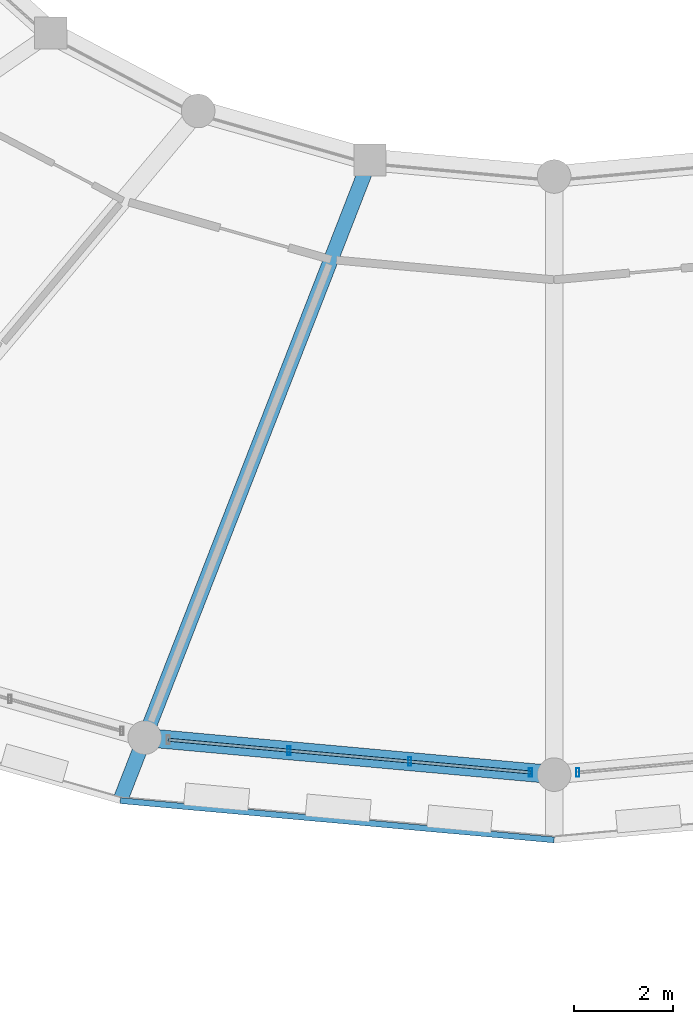
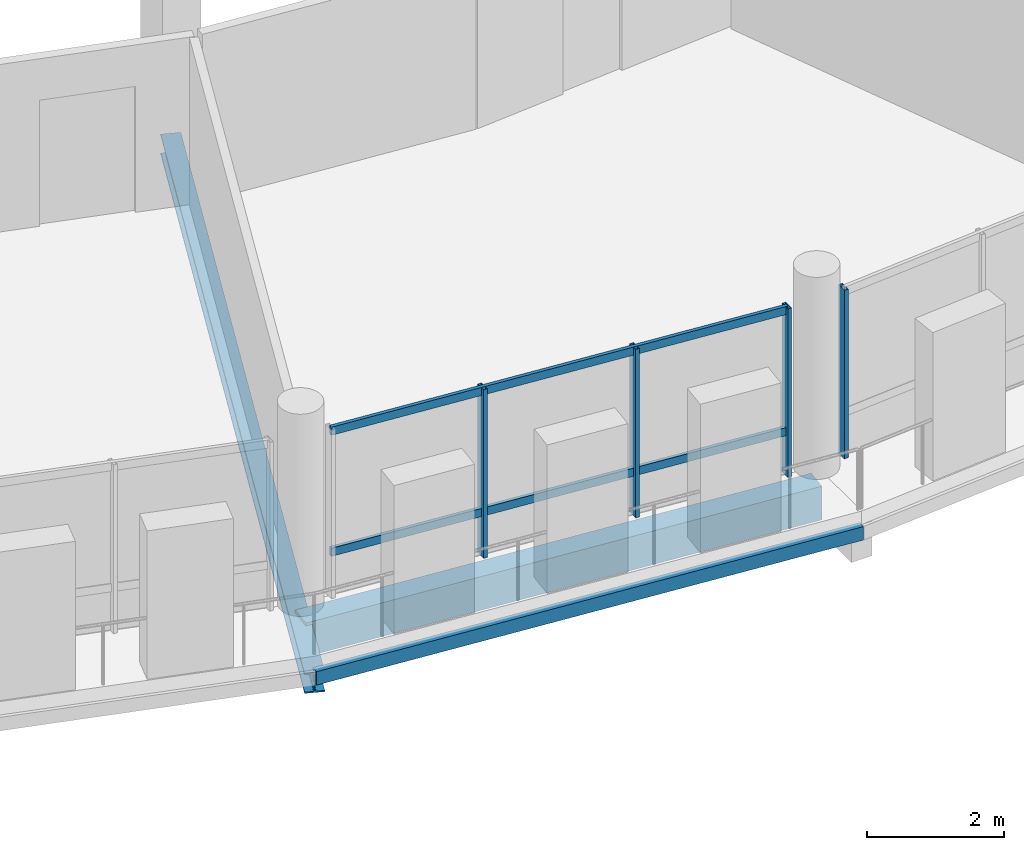
# One storey, part 43 of 128: 6 members, 3 beams, 2 elements without a shape of their own.
"""IFC4 building model written with IfcOpenShell, lengths in metres."""

import ifcopenshell
import ifcopenshell.guid

model = None  # the IFC model being written
_history = None  # IfcOwnerHistory: only IFC2X3 demands one
_inside = {}  # id of a spatial element -> (the spatial element, [elements in it])
_under = {}  # id of a project, library or spatial element -> (it, [spatial elements below it])
_declared = {}  # id of a project -> (the project, [libraries it declares])
_typed = {}  # id of a type object -> (the type object, [elements of that type])
_made_of = {}  # id of a material, layer set ... -> (it, [elements and type objects made of it])


def new_model(schema):
    """Start an empty IFC model of exactly this schema.

    Asked for "IFC4X3", IfcOpenShell would pick the latest addendum, in which some entities
    have other attributes; the version numbers below select the first issue.
    IFC2X3 requires an IfcOwnerHistory on every rooted entity: one is made here for all.
    """
    global model, _history
    if schema == "IFC4X3":
        model = ifcopenshell.file(schema_version=(4, 3, 0, 0))
    else:
        model = ifcopenshell.file(schema=schema)
    _inside.clear()
    _under.clear()
    _declared.clear()
    _typed.clear()
    _made_of.clear()
    _history = None
    if model.schema == "IFC2X3":
        org = make("IfcOrganization", Name="unknown")
        user = make(
            "IfcPersonAndOrganization",
            ThePerson=make("IfcPerson", FamilyName="unknown"),
            TheOrganization=org,
        )
        app = make(
            "IfcApplication",
            ApplicationDeveloper=org,
            Version="unknown",
            ApplicationFullName="unknown",
            ApplicationIdentifier="unknown",
        )
        _history = make(
            "IfcOwnerHistory",
            OwningUser=user,
            OwningApplication=app,
            ChangeAction="ADDED",
            CreationDate=0,
        )
    return model


def make(cls, **values):
    """One entity of the class cls with the attributes given. An attribute that is None is left unset."""
    return model.create_entity(
        cls, **{name: value for name, value in values.items() if value is not None}
    )


def rooted(cls, **values):
    """An entity with a GlobalId (a new one), such as an element, a storey or a relation."""
    return make(cls, GlobalId=ifcopenshell.guid.new(), OwnerHistory=_history, **values)


def si_unit(unit_type, name, prefix=None):
    """IfcSIUnit, for example si_unit("LENGTHUNIT", "METRE", prefix="MILLI")."""
    return make("IfcSIUnit", UnitType=unit_type, Prefix=prefix, Name=name)


def assignment(units):
    """IfcUnitAssignment: the units of a project."""
    return None if units is None else make("IfcUnitAssignment", Units=units)


def point(xyz):
    """IfcCartesianPoint."""
    return None if xyz is None else make("IfcCartesianPoint", Coordinates=xyz)


def direction(xyz):
    """IfcDirection."""
    return None if xyz is None else make("IfcDirection", DirectionRatios=xyz)


def frame(location, z_axis=None, x_axis=None):
    """IfcAxis2Placement3D, a coordinate frame: its origin and axes. An axis left out is left unset."""
    return make(
        "IfcAxis2Placement3D",
        Location=point(location),
        Axis=direction(z_axis),
        RefDirection=direction(x_axis),
    )


def frame_2d(location, x_axis=None):
    """IfcAxis2Placement2D, a coordinate frame in the plane: its origin and x axis."""
    return make(
        "IfcAxis2Placement2D", Location=point(location), RefDirection=direction(x_axis)
    )


def origin():
    """The frame at (0, 0, 0) with its axes left unset."""
    return frame((0.0, 0.0, 0.0))


def origin_2d():
    """The frame at (0, 0) in the plane with its x axis left unset."""
    return frame_2d((0.0, 0.0))


def place(relative_to, where):
    """IfcLocalPlacement: puts the frame where relative to a parent placement (None: the world)."""
    return make(
        "IfcLocalPlacement", PlacementRelTo=relative_to, RelativePlacement=where
    )


def context(
    kind, dimensions, precision=None, world=None, true_north=None, identifier=None
):
    """IfcGeometricRepresentationContext, for example the 3D "Model" context."""
    return make(
        "IfcGeometricRepresentationContext",
        ContextIdentifier=identifier,
        ContextType=kind,
        CoordinateSpaceDimension=dimensions,
        Precision=precision,
        WorldCoordinateSystem=world,
        TrueNorth=true_north,
    )


def subcontext(parent, identifier, kind, view, scale=None):
    """IfcGeometricRepresentationSubContext, for example "Body" below "Model"."""
    return make(
        "IfcGeometricRepresentationSubContext",
        ContextIdentifier=identifier,
        ContextType=kind,
        ParentContext=parent,
        TargetScale=scale,
        TargetView=view,
    )


def project(units=None, contexts=None):
    """IfcProject with its units and contexts."""
    return rooted(
        "IfcProject",
        Name="project",
        RepresentationContexts=contexts,
        UnitsInContext=assignment(units),
    )


def spatial(cls, under=None, at=None, **own):
    """A site, building, storey or space (cls), placed at a placement, below another one or the project."""
    s = rooted(cls, ObjectPlacement=at, **own)
    if under is not None:
        _under.setdefault(under.id(), (under, []))[1].append(s)
    return s


def profile(cls, at=None, kind="AREA", **sizes):
    """A parametric profile (cls). Its sizes go by their IFC names, for example OverallWidth=200.0."""
    return make(cls, ProfileType=kind, Position=at, **sizes)


def rectangle(**sizes):
    """IfcRectangleProfileDef."""
    return profile("IfcRectangleProfileDef", **sizes)


def hollow_rectangle(**sizes):
    """IfcRectangleHollowProfileDef."""
    return profile("IfcRectangleHollowProfileDef", **sizes)


def i_section(**sizes):
    """IfcIShapeProfileDef."""
    return profile("IfcIShapeProfileDef", **sizes)


def extrude(swept, where, along, depth):
    """IfcExtrudedAreaSolid: the profile swept, set in the frame where, extruded along a direction by depth."""
    return make(
        "IfcExtrudedAreaSolid",
        SweptArea=swept,
        Position=where,
        ExtrudedDirection=direction(along),
        Depth=depth,
    )


def shape(context_of_items, identifier, shape_type, items):
    """IfcShapeRepresentation: the items that make up one representation, for example the "Body"."""
    return make(
        "IfcShapeRepresentation",
        ContextOfItems=context_of_items,
        RepresentationIdentifier=identifier,
        RepresentationType=shape_type,
        Items=items,
    )


def material(Name=None, Category=None):
    """IfcMaterial."""
    return make("IfcMaterial", Name=Name, Category=Category)


def material_profile(
    of_material, cross_section, Name=None, Category=None, Priority=None
):
    """IfcMaterialProfile: a cross section and its material."""
    return make(
        "IfcMaterialProfile",
        Name=Name,
        Material=of_material,
        Profile=cross_section,
        Priority=Priority,
        Category=Category,
    )


def profile_set(profiles, Name=None, composite=None):
    """IfcMaterialProfileSet."""
    return make(
        "IfcMaterialProfileSet",
        Name=Name,
        MaterialProfiles=profiles,
        CompositeProfile=composite,
    )


def made_of(thing, what):
    """Note that an element or type object is made of a material, layer set ...; save() writes the relation."""
    if what is not None:
        _made_of.setdefault(what.id(), (what, []))[1].append(thing)
    return thing


def type_object(cls, material=None, **own):
    """A type object (cls), such as IfcWallType, which elements share."""
    return made_of(rooted(cls, **own), material)


def element(
    cls,
    number,
    at=None,
    inside=None,
    cuts=None,
    type_object=None,
    material=None,
    context=None,
    identifier="Body",
    shape_type=None,
    held_by="IfcProductDefinitionShape",
    body=None,
    shapes=None,
    **own,
):
    """One element of the class cls, such as IfcWall. Its Tag is "e" and its number.

    at: its placement. inside: the storey or other place that contains it. cuts: it is an
    opening in that element (IfcRelVoidsElement). A single representation is given by context,
    identifier, shape_type and body (its items); several are given by shapes. held_by: the class
    of the entity that holds the representations. save() writes the other relations.
    """
    e = rooted(cls, Tag="e%d" % number, ObjectPlacement=at, **own)
    if body is not None:
        shapes = [shape(context, identifier, shape_type, body)]
    if shapes is not None:
        e.Representation = make(held_by, Representations=shapes)
    if inside is not None:
        _inside.setdefault(inside.id(), (inside, []))[1].append(e)
    if cuts is not None:
        rooted(
            "IfcRelVoidsElement", RelatingBuildingElement=cuts, RelatedOpeningElement=e
        )
    if type_object is not None:
        _typed.setdefault(type_object.id(), (type_object, []))[1].append(e)
    return made_of(e, material)


def aggregate(whole, parts):
    """IfcRelAggregates: a whole, such as a stair, and the parts it consists of."""
    return rooted("IfcRelAggregates", RelatingObject=whole, RelatedObjects=parts)


def save(model, path):
    """Write the relations noted so far, then the file.

    IfcRelAggregates (storeys below a building ...), IfcRelContainedInSpatialStructure (elements
    in a storey), IfcRelDefinesByType, IfcRelAssociatesMaterial and IfcRelDeclares: one each for
    every whole, place, type object, material and project.
    """
    for whole, parts in _under.values():
        aggregate(whole, parts)
    for where, things in _inside.values():
        rooted(
            "IfcRelContainedInSpatialStructure",
            RelatedElements=things,
            RelatingStructure=where,
        )
    for kind, things in _typed.values():
        rooted("IfcRelDefinesByType", RelatedObjects=things, RelatingType=kind)
    for what, things in _made_of.values():
        rooted("IfcRelAssociatesMaterial", RelatedObjects=things, RelatingMaterial=what)
    for by, libraries in _declared.values():
        rooted("IfcRelDeclares", RelatingContext=by, RelatedDefinitions=libraries)
    model.write(path)


model = new_model("IFC4")

# Units and contexts
model_context = context("Model", 3, precision=1e-05, world=origin(), true_north=direction((0.0, 1.0)))
body_context = subcontext(model_context, "Body", "Model", "MODEL_VIEW")
ifc_project = project(units=[si_unit("LENGTHUNIT", "METRE"), si_unit("AREAUNIT", "SQUARE_METRE"), si_unit("VOLUMEUNIT", "CUBIC_METRE"), si_unit("PLANEANGLEUNIT", "RADIAN"), si_unit("MASSUNIT", "GRAM", prefix="KILO")], contexts=[model_context])

# Site, building, storey
site_placement = place(None, origin())
site = spatial("IfcSite", under=ifc_project, at=site_placement, CompositionType="ELEMENT")
building_placement = place(site_placement, origin())
building = spatial("IfcBuilding", under=site, at=building_placement, Name="Zornivar Specialist Clinic", CompositionType="ELEMENT")
storey_placement = place(building_placement, frame((0.0, 0.0, 4.5)))
storey = spatial("IfcBuildingStorey", under=building, at=storey_placement, Name="L01", CompositionType="ELEMENT", Elevation=4.5)

# Beams
ifc_material_1 = material(Name="Concrete C30/37", Category="concrete")
ifc_material_profile_1 = material_profile(ifc_material_1, rectangle(XDim=0.3701171875, YDim=0.60009765625, at=origin_2d()), Name="RC 370x600")
ifc_profile_set_1 = profile_set([ifc_material_profile_1], Name="Concrete C30/37")
beam_type_1 = type_object("IfcBeamType", Name="BM-RC-SPANDREL-370x600", PredefinedType="SPANDREL", material=ifc_profile_set_1)
beam_1_placement = place(storey_placement, frame((85.318115234375, 36.35009765625, -0.5400390625), z_axis=(0.99592467027, -0.09018897465, 0.0), x_axis=(0.09018897465, 0.99592467027, 0.0)))
element("IfcBeam", 1, at=beam_1_placement, inside=storey, type_object=beam_type_1, Name="bm:V1:L01:outring:17", PredefinedType="SPANDREL", context=body_context, shape_type="SweptSolid", body=[
    extrude(rectangle(XDim=0.3701171875, YDim=0.60009765625, at=origin_2d()), origin(), (0.0, 0.0, 1.0), 8.31591796875),
])
ifc_material_2 = material(Name="Steel S355J2", Category="steel")
ifc_material_profile_2 = material_profile(ifc_material_2, i_section(OverallWidth=0.300048828125, OverallDepth=0.360107421875, WebThickness=0.012451171875, FlangeThickness=0.0224609375, FilletRadius=0.027099609375, at=origin_2d()), Name="HEB 360")
ifc_profile_set_2 = profile_set([ifc_material_profile_2], Name="Steel S355J2")
beam_type_2 = type_object("IfcBeamType", Name="BM-STL-HEB360", PredefinedType="BEAM", material=ifc_profile_set_2)
beam_2_placement = place(storey_placement, frame((89.873046875, 48.037109375, -0.469970703125), z_axis=(-0.363143135914, -0.931733364669, 0.0), x_axis=(0.931733364669, -0.363143135914, 0.0)))
element("IfcBeam", 2, at=beam_2_placement, inside=storey, type_object=beam_type_2, Name="bm:V1:L01:radmid:17", PredefinedType="BEAM", context=body_context, shape_type="SweptSolid", body=[
    extrude(i_section(OverallWidth=0.300048828125, OverallDepth=0.360107421875, WebThickness=0.012451171875, FlangeThickness=0.0224609375, FilletRadius=0.027099609375, at=origin_2d()), origin(), (0.0, 0.0, 1.0), 13.911865234375),
])
ifc_material_3 = material(Name="Steel S355J2", Category="steel")
ifc_material_profile_3 = material_profile(ifc_material_3, hollow_rectangle(XDim=0.1201171875, YDim=0.239990234375, WallThickness=0.008056640625, at=origin_2d()), Name="RHS 240x120x8")
ifc_profile_set_3 = profile_set([ifc_material_profile_3], Name="Steel S355J2")
beam_type_3 = type_object("IfcBeamType", Name="BM-STL-RHS240", PredefinedType="JOIST", material=ifc_profile_set_3)
beam_3_placement = place(storey_placement, frame((84.821044921875, 35.074951171875, -0.360107421875), z_axis=(0.995925605957, -0.090178641592, 0.0), x_axis=(0.090178641592, 0.995925605957, 0.0)))
element("IfcBeam", 3, at=beam_3_placement, inside=storey, type_object=beam_type_3, Name="bm:V1:L01:balring:17", PredefinedType="JOIST", context=body_context, shape_type="SweptSolid", body=[
    extrude(hollow_rectangle(XDim=0.1201171875, YDim=0.239990234375, WallThickness=0.008056640625, at=origin_2d()), origin(), (0.0, 0.0, 1.0), 8.81494140625),
])

# Curtain wall, members
ifc_material_4 = material(Name="Aluminium and Low-E Glass Curtain Wall", Category="aluminium")
curtain_wall_type = type_object("IfcCurtainWallType", Name="CW-DRUM-FACET", PredefinedType="NOTDEFINED", material=ifc_material_4)
curtain_wall_1_placement = place(storey_placement, origin())
curtain_wall_1 = element("IfcCurtainWall", 4, at=curtain_wall_1_placement, inside=storey, type_object=curtain_wall_type, Name="cw:V1:L01:c17", PredefinedType="NOTDEFINED")
ifc_material_5 = material(Name="Aluminium AW-6060", Category="aluminium")
ifc_material_profile_4 = material_profile(ifc_material_5, hollow_rectangle(XDim=0.06494140625, YDim=0.175048828125, WallThickness=0.00439453125, at=origin_2d()), Name="ALU 65x175x4.5")
ifc_profile_set_4 = profile_set([ifc_material_profile_4], Name="Aluminium AW-6060")
member_type_1 = type_object("IfcMemberType", Name="CWM-MUL-175", PredefinedType="MULLION", material=ifc_profile_set_4)
member_1_placement = place(storey_placement, frame((88.238037109375, 36.0849609375, 0.0), z_axis=(0.0, 0.0, 1.0), x_axis=(1.0, 0.0, 0.0)))
member_1 = element("IfcMember", 5, at=member_1_placement, type_object=member_type_1, Name="cw:V1:L01:c17:mul:1", PredefinedType="MULLION", context=body_context, shape_type="SweptSolid", body=[
    extrude(hollow_rectangle(XDim=0.06494140625, YDim=0.175048828125, WallThickness=0.00439453125, at=origin_2d()), origin(), (0.0, 0.0, 1.0), 3.010009765625),
])
member_2_placement = place(storey_placement, frame((90.679931640625, 35.864013671875, 0.0), z_axis=(0.0, 0.0, 1.0), x_axis=(1.0, 0.0, 0.0)))
member_2 = element("IfcMember", 6, at=member_2_placement, type_object=member_type_1, Name="cw:V1:L01:c17:mul:2", PredefinedType="MULLION", context=body_context, shape_type="SweptSolid", body=[
    extrude(hollow_rectangle(XDim=0.06494140625, YDim=0.175048828125, WallThickness=0.00439453125, at=origin_2d()), origin(), (0.0, 0.0, 1.0), 3.010009765625),
])
member_3_placement = place(storey_placement, frame((93.1220703125, 35.64306640625, 0.0), z_axis=(0.0, 0.0, 1.0), x_axis=(1.0, 0.0, 0.0)))
member_3 = element("IfcMember", 7, at=member_3_placement, type_object=member_type_1, Name="cw:V1:L01:c17:mul:3", PredefinedType="MULLION", context=body_context, shape_type="SweptSolid", body=[
    extrude(hollow_rectangle(XDim=0.06494140625, YDim=0.175048828125, WallThickness=0.00439453125, at=origin_2d()), origin(), (0.0, 0.0, 1.0), 3.010009765625),
])

# Curtain wall, member
curtain_wall_2_placement = place(storey_placement, origin())
curtain_wall_2 = element("IfcCurtainWall", 8, at=curtain_wall_2_placement, inside=storey, type_object=curtain_wall_type, Name="cw:V1:L01:c18", PredefinedType="NOTDEFINED")
member_4_placement = place(storey_placement, frame((94.077880859375, 35.64404296875, 0.0), z_axis=(0.0, 0.0, 1.0), x_axis=(1.0, 0.0, 0.0)))
member_4 = element("IfcMember", 9, at=member_4_placement, type_object=member_type_1, Name="cw:V1:L01:c18:mul:0", PredefinedType="MULLION", context=body_context, shape_type="SweptSolid", body=[
    extrude(hollow_rectangle(XDim=0.06494140625, YDim=0.175048828125, WallThickness=0.00439453125, at=origin_2d()), origin(), (0.0, 0.0, 1.0), 3.010009765625),
])
aggregate(curtain_wall_2, [member_4])

# Member
ifc_material_6 = material(Name="Aluminium AW-6060", Category="aluminium")
ifc_material_profile_5 = material_profile(ifc_material_6, hollow_rectangle(XDim=0.06005859375, YDim=0.14501953125, WallThickness=0.00390625, at=origin_2d()), Name="ALU 60x145x4")
ifc_profile_set_5 = profile_set([ifc_material_profile_5], Name="Aluminium AW-6060")
member_type_2 = type_object("IfcMemberType", Name="CWM-TRN-145", PredefinedType="USERDEFINED", material=ifc_profile_set_5)
member_5_placement = place(storey_placement, frame((85.7958984375, 36.305908203125, 0.782958984375), z_axis=(0.995943921343, -0.089976138722, 0.0), x_axis=(0.089976138722, 0.995943921343, 0.0)))
member_5 = element("IfcMember", 10, at=member_5_placement, type_object=member_type_2, Name="cw:V1:L01:c17:trn:0", ObjectType="TRANSOM", PredefinedType="USERDEFINED", context=body_context, shape_type="SweptSolid", body=[
    extrude(hollow_rectangle(XDim=0.06005859375, YDim=0.14501953125, WallThickness=0.00390625, at=origin_2d()), origin(), (0.0, 0.0, 1.0), 7.35595703125),
])

member_6_placement = place(storey_placement, frame((85.7958984375, 36.305908203125, 2.945068359375), z_axis=(0.995943921343, -0.089976138722, 0.0), x_axis=(0.089976138722, 0.995943921343, 0.0)))
member_6 = element("IfcMember", 11, at=member_6_placement, type_object=member_type_2, Name="cw:V1:L01:c17:trn:1", ObjectType="TRANSOM", PredefinedType="USERDEFINED", context=body_context, shape_type="SweptSolid", body=[
    extrude(hollow_rectangle(XDim=0.06005859375, YDim=0.14501953125, WallThickness=0.00390625, at=origin_2d()), origin(), (0.0, 0.0, 1.0), 7.35595703125),
])

aggregate(curtain_wall_1, [member_1, member_2, member_3, member_5, member_6])

save(model, "model.ifc")
